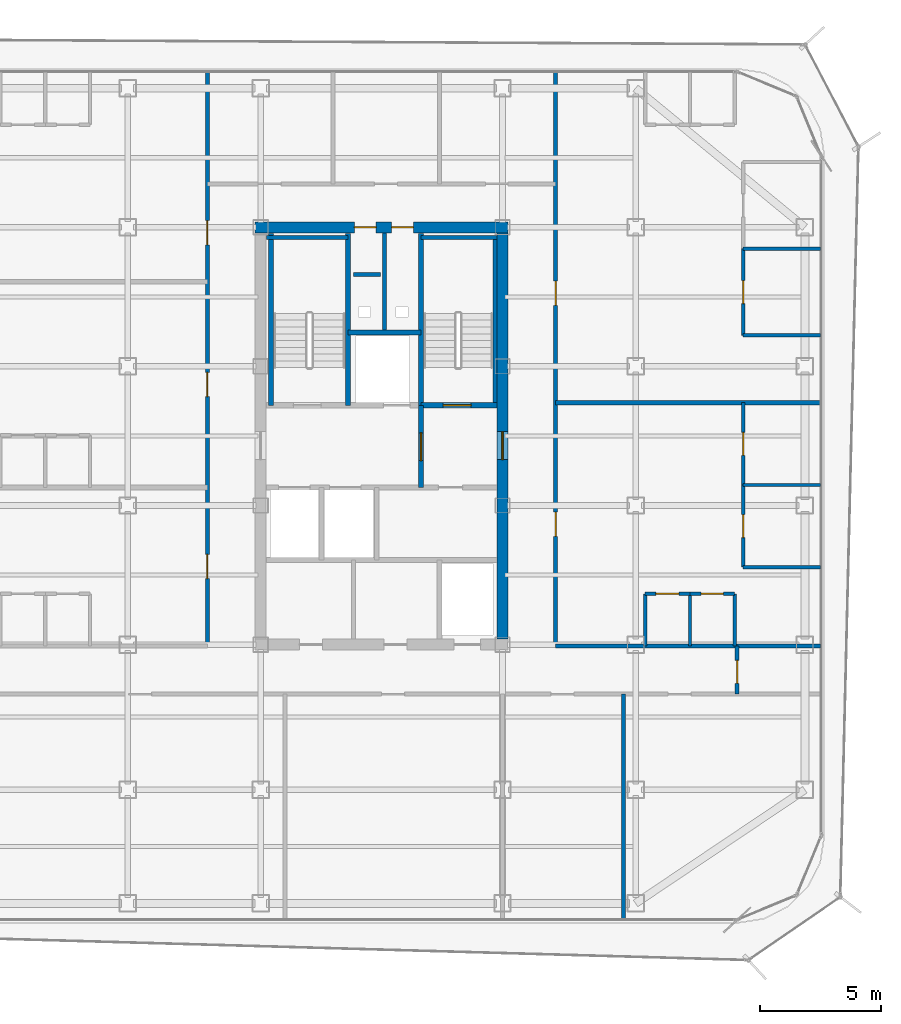
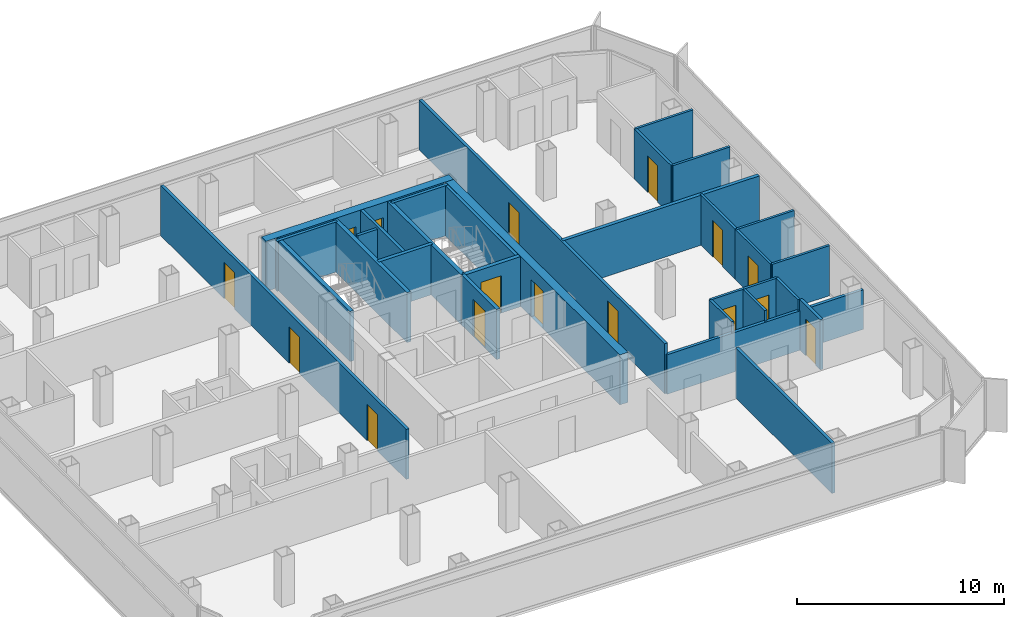
# One storey, part 11 of 15: 32 walls, 16 doors, 16 openings.
"""IFC4 building model written with IfcOpenShell, lengths in metres."""

from ifc_helpers import new_model, si_unit, direction, frame, frame_2d, origin, place, context, subcontext, project, spatial, rectangle, extrude, material, layer, layer_set, type_object, element, fill, save


model = new_model("IFC4")

# Units and contexts
model_context = context("Model", 3, precision=1e-05, world=origin(), true_north=direction((0.0, 1.0)))
body_context = subcontext(model_context, "Body", "Model", "MODEL_VIEW")
ifc_project = project(units=[si_unit("LENGTHUNIT", "METRE"), si_unit("AREAUNIT", "SQUARE_METRE"), si_unit("VOLUMEUNIT", "CUBIC_METRE"), si_unit("PLANEANGLEUNIT", "RADIAN"), si_unit("MASSUNIT", "GRAM", prefix="KILO")], contexts=[model_context])

# Site, building, storey
site_placement = place(None, origin())
site = spatial("IfcSite", under=ifc_project, at=site_placement, CompositionType="ELEMENT")
building_placement = place(site_placement, origin())
building = spatial("IfcBuilding", under=site, at=building_placement, Name="Kolveth Station Tower", CompositionType="ELEMENT")
storey_placement = place(building_placement, frame((0.0, 0.0, 168.89990234375)))
storey = spatial("IfcBuildingStorey", under=building, at=storey_placement, Name="L47", CompositionType="ELEMENT", Elevation=168.89990234375)

# Wall, openings, doors
ifc_material_1 = material(Name="Concrete C50/60", Category="concrete")
ifc_layer_1 = layer(ifc_material_1, 0.449951171875)
ifc_layer_set_1 = layer_set([ifc_layer_1], Name="Concrete C50/60")
wall_type_1 = type_object("IfcWallType", Name="Wall_CW-450", PredefinedType="SHEAR", material=ifc_layer_set_1)
wall_1_placement = place(storey_placement, frame((18.27490234375, 28.75, 0.0), z_axis=(0.0, 0.0, 1.0), x_axis=(1.0, 0.0, 0.0)))
wall_1 = element("IfcWall", 1, at=wall_1_placement, inside=storey, type_object=wall_type_1, Name="L47 Core RC Shear Wall N", PredefinedType="SHEAR", context=body_context, shape_type="SweptSolid", body=[
    extrude(rectangle(XDim=10.4501953125, YDim=0.449951171875, at=frame_2d((5.22509765625, 0.0))), origin(), (0.0, 0.0, 1.0), 2.9501953125),
])
opening_1_placement = place(wall_1_placement, frame((4.10498046875, 0.0, 0.0)))
opening_1 = element("IfcOpeningElement", 2, at=opening_1_placement, cuts=wall_1, Name="Opening RD1", PredefinedType="OPENING", context=body_context, shape_type="SweptSolid", body=[
    extrude(rectangle(XDim=0.89990234375, YDim=2.050048828125, at=frame_2d((0.449951171875, 1.02490234375))), frame((0.0, 0.23486328125, 0.0), z_axis=(0.0, -1.0, 0.0), x_axis=(1.0, 0.0, 0.0)), (0.0, 0.0, 1.0), 0.469970703125),
])
opening_2_placement = place(wall_1_placement, frame((5.64501953125, 0.0, 0.0)))
opening_2 = element("IfcOpeningElement", 3, at=opening_2_placement, cuts=wall_1, Name="Opening RD1", PredefinedType="OPENING", context=body_context, shape_type="SweptSolid", body=[
    extrude(rectangle(XDim=0.89990234375, YDim=2.050048828125, at=frame_2d((0.449951171875, 1.02490234375))), frame((0.0, 0.23486328125, 0.0), z_axis=(0.0, -1.0, 0.0), x_axis=(1.0, 0.0, 0.0)), (0.0, 0.0, 1.0), 0.469970703125),
])
ifc_material_2 = material(Name="Fire-rated Steel S355 riser access leaf", Category="steel")
door_type_1 = type_object("IfcDoorType", Name="Door_RD1", OperationType="NOTDEFINED", PredefinedType="DOOR", material=ifc_material_2)
door_1_placement = place(opening_1_placement, origin())
door_1 = element("IfcDoor", 4, at=door_1_placement, inside=storey, type_object=door_type_1, Name="L47 Electrical Riser Access Door", OperationType="SINGLE_SWING_LEFT", OverallHeight=2.050048828125, OverallWidth=0.89990234375, PredefinedType="DOOR", context=body_context, shape_type="SweptSolid", body=[
    extrude(rectangle(XDim=0.89990234375, YDim=2.050048828125, at=frame_2d((0.449951171875, 1.02490234375))), frame((0.0, 0.02490234375, 0.0), z_axis=(0.0, -1.0, 0.0), x_axis=(1.0, 0.0, 0.0)), (0.0, 0.0, 1.0), 0.050048828125),
])
fill(opening_1, door_1)
door_2_placement = place(opening_2_placement, origin())
door_2 = element("IfcDoor", 5, at=door_2_placement, inside=storey, type_object=door_type_1, Name="L47 Smoke Duct Access Door", OperationType="SINGLE_SWING_RIGHT", OverallHeight=2.050048828125, OverallWidth=0.89990234375, PredefinedType="DOOR", context=body_context, shape_type="SweptSolid", body=[
    extrude(rectangle(XDim=0.89990234375, YDim=2.050048828125, at=frame_2d((0.449951171875, 1.02490234375))), frame((0.0, 0.02490234375, 0.0), z_axis=(0.0, -1.0, 0.0), x_axis=(1.0, 0.0, 0.0)), (0.0, 0.0, 1.0), 0.050048828125),
])
fill(opening_2, door_2)

# Wall, opening, door
wall_2_placement = place(storey_placement, frame((28.5, 11.72509765625, 0.0), z_axis=(0.0, 0.0, 1.0), x_axis=(0.0, 1.0, 0.0)))
wall_2 = element("IfcWall", 6, at=wall_2_placement, inside=storey, type_object=wall_type_1, Name="L47 Core RC Shear Wall E", PredefinedType="SHEAR", context=body_context, shape_type="SweptSolid", body=[
    extrude(rectangle(XDim=16.7998046875, YDim=0.449951171875, at=frame_2d((8.39990234375, 0.0))), origin(), (0.0, 0.0, 1.0), 2.9501953125),
])
opening_3_placement = place(wall_2_placement, frame((7.425048828125, 0.0, 0.0)))
opening_3 = element("IfcOpeningElement", 7, at=opening_3_placement, cuts=wall_2, Name="Opening FD1", PredefinedType="OPENING", context=body_context, shape_type="SweptSolid", body=[
    extrude(rectangle(XDim=1.14990234375, YDim=2.199951171875, at=frame_2d((0.574951171875, 1.10009765625))), frame((0.0, 0.23486328125, 0.0), z_axis=(0.0, -1.0, 0.0), x_axis=(1.0, 0.0, 0.0)), (0.0, 0.0, 1.0), 0.469970703125),
])
ifc_material_3 = material(Name="Fire-rated Steel S355 leaf and frame", Category="steel")
door_type_2 = type_object("IfcDoorType", Name="Door_FD1", OperationType="NOTDEFINED", PredefinedType="DOOR", material=ifc_material_3)
door_3_placement = place(opening_3_placement, origin())
door_3 = element("IfcDoor", 8, at=door_3_placement, inside=storey, type_object=door_type_2, Name="L47 East Corridor to Stair Lobby Door", OperationType="SINGLE_SWING_RIGHT", OverallHeight=2.199951171875, OverallWidth=1.14990234375, PredefinedType="DOOR", context=body_context, shape_type="SweptSolid", body=[
    extrude(rectangle(XDim=1.14990234375, YDim=2.199951171875, at=frame_2d((0.574951171875, 1.10009765625))), frame((0.0, 0.02490234375, 0.0), z_axis=(0.0, -1.0, 0.0), x_axis=(1.0, 0.0, 0.0)), (0.0, 0.0, 1.0), 0.050048828125),
])
fill(opening_3, door_3)

ifc_material_4 = material(Name="Moisture-resistant gypsum partition")
ifc_layer_2 = layer(ifc_material_4, 0.135009765625)
ifc_layer_set_2 = layer_set([ifc_layer_2], Name="Moisture-resistant gypsum partition")
wall_type_2 = type_object("IfcWallType", Name="Wall_IW-135", PredefinedType="PARTITIONING", material=ifc_layer_set_2)
wall_3_placement = place(storey_placement, frame((34.39990234375, 13.60009765625, 0.0), z_axis=(0.0, 0.0, 1.0), x_axis=(1.0, 0.0, 0.0)))
wall_3 = element("IfcWall", 9, at=wall_3_placement, inside=storey, type_object=wall_type_2, Name="L47 Partition Wall WL-L47-E1-IBHK", PredefinedType="PARTITIONING", context=body_context, shape_type="SweptSolid", body=[
    extrude(rectangle(XDim=1.85009765625, YDim=0.135009765625, at=frame_2d((0.925048828125, 0.0))), origin(), (0.0, 0.0, 1.0), 2.9501953125),
])
opening_4_placement = place(wall_3_placement, frame((0.445068359375, 0.0, 0.0)))
opening_4 = element("IfcOpeningElement", 10, at=opening_4_placement, cuts=wall_3, Name="Opening ID1", PredefinedType="OPENING", context=body_context, shape_type="SweptSolid", body=[
    extrude(rectangle(XDim=0.949951171875, YDim=2.14990234375, at=frame_2d((0.47509765625, 1.074951171875))), frame((0.0, 0.077392578125, 0.0), z_axis=(0.0, -1.0, 0.0), x_axis=(1.0, 0.0, 0.0)), (0.0, 0.0, 1.0), 0.155029296875),
])
ifc_material_5 = material(Name="Acoustic hardwood leaf and aluminium frame", Category="wood")
door_type_3 = type_object("IfcDoorType", Name="Door_ID1", OperationType="NOTDEFINED", PredefinedType="DOOR", material=ifc_material_5)
door_4_placement = place(opening_4_placement, origin())
door_4 = element("IfcDoor", 11, at=door_4_placement, inside=storey, type_object=door_type_3, Name="Penthouse Flat L47-E1 Kitchen Door", OperationType="SINGLE_SWING_RIGHT", OverallHeight=2.14990234375, OverallWidth=0.949951171875, PredefinedType="DOOR", context=body_context, shape_type="SweptSolid", body=[
    extrude(rectangle(XDim=0.949951171875, YDim=2.14990234375, at=frame_2d((0.47509765625, 1.074951171875))), frame((0.0, 0.02490234375, 0.0), z_axis=(0.0, -1.0, 0.0), x_axis=(1.0, 0.0, 0.0)), (0.0, 0.0, 1.0), 0.050048828125),
])
fill(opening_4, door_4)

wall_4_placement = place(storey_placement, frame((36.25, 13.60009765625, 0.0), z_axis=(0.0, 0.0, 1.0), x_axis=(1.0, 0.0, 0.0)))
wall_4 = element("IfcWall", 12, at=wall_4_placement, inside=storey, type_object=wall_type_2, Name="L47 Partition Wall WL-L47-E1-IBHB", PredefinedType="PARTITIONING", context=body_context, shape_type="SweptSolid", body=[
    extrude(rectangle(XDim=1.85009765625, YDim=0.135009765625, at=frame_2d((0.925048828125, 0.0))), origin(), (0.0, 0.0, 1.0), 2.9501953125),
])
opening_5_placement = place(wall_4_placement, frame((0.465087890625, 0.0, 0.0)))
opening_5 = element("IfcOpeningElement", 13, at=opening_5_placement, cuts=wall_4, Name="Opening ID2", PredefinedType="OPENING", context=body_context, shape_type="SweptSolid", body=[
    extrude(rectangle(XDim=0.919921875, YDim=2.10009765625, at=frame_2d((0.4599609375, 1.050048828125))), frame((0.0, 0.077392578125, 0.0), z_axis=(0.0, -1.0, 0.0), x_axis=(1.0, 0.0, 0.0)), (0.0, 0.0, 1.0), 0.155029296875),
])
ifc_material_6 = material(Name="Moisture-resistant hardwood leaf", Category="wood")
door_type_4 = type_object("IfcDoorType", Name="Door_ID2", OperationType="NOTDEFINED", PredefinedType="DOOR", material=ifc_material_6)
door_5_placement = place(opening_5_placement, origin())
door_5 = element("IfcDoor", 14, at=door_5_placement, inside=storey, type_object=door_type_4, Name="Penthouse Flat L47-E1 Bathroom Door", OperationType="SINGLE_SWING_LEFT", OverallHeight=2.10009765625, OverallWidth=0.919921875, PredefinedType="DOOR", context=body_context, shape_type="SweptSolid", body=[
    extrude(rectangle(XDim=0.919921875, YDim=2.10009765625, at=frame_2d((0.4599609375, 1.050048828125))), frame((0.0, 0.02490234375, 0.0), z_axis=(0.0, -1.0, 0.0), x_axis=(1.0, 0.0, 0.0)), (0.0, 0.0, 1.0), 0.050048828125),
])
fill(opening_5, door_5)

# Walls
for number, where, z_axis, x_axis, name in (
    (15, (34.39990234375, 11.449951171875, 0.0), (0.0, 0.0, 1.0), (0.0, 1.0, 0.0), "L47 Partition Wall WL-L47-E1-IBV0"),
    (16, (36.25, 11.449951171875, 0.0), (0.0, 0.0, 1.0), (0.0, 1.0, 0.0), "L47 Partition Wall WL-L47-E1-IBV1"),
    (17, (38.10009765625, 11.449951171875, 0.0), (0.0, 0.0, 1.0), (0.0, 1.0, 0.0), "L47 Partition Wall WL-L47-E1-IBV2"),
):
    element("IfcWall", number, at=place(storey_placement, frame(where, z_axis=z_axis, x_axis=x_axis)), inside=storey, type_object=wall_type_2, Name=name, PredefinedType="PARTITIONING", context=body_context, shape_type="SweptSolid", body=[
        extrude(rectangle(XDim=2.150146484375, YDim=0.135009765625, at=frame_2d((1.0751953125, 0.0))), origin(), (0.0, 0.0, 1.0), 2.9501953125),
    ])
wall_5_placement = place(storey_placement, frame((38.449951171875, 14.699951171875, 0.0), z_axis=(0.0, 0.0, 1.0), x_axis=(1.0, 0.0, 0.0)))
element("IfcWall", 18, at=wall_5_placement, inside=storey, type_object=wall_type_2, Name="L47 Partition Wall WL-L47-E1-BDH0", PredefinedType="PARTITIONING", context=body_context, shape_type="SweptSolid", body=[
    extrude(rectangle(XDim=3.18994140625, YDim=0.135009765625, at=frame_2d((1.594970703125, 0.0))), origin(), (0.0, 0.0, 1.0), 2.9501953125),
])

# Wall, opening, door
wall_6_placement = place(storey_placement, frame((38.449951171875, 14.699951171875, 0.0), z_axis=(0.0, 0.0, 1.0), x_axis=(0.0, 1.0, 0.0)))
wall_6 = element("IfcWall", 19, at=wall_6_placement, inside=storey, type_object=wall_type_2, Name="L47 Partition Wall WL-L47-E1-BDV1", PredefinedType="PARTITIONING", context=body_context, shape_type="SweptSolid", body=[
    extrude(rectangle(XDim=3.400146484375, YDim=0.135009765625, at=frame_2d((1.7001953125, 0.0))), origin(), (0.0, 0.0, 1.0), 2.9501953125),
])
opening_6_placement = place(wall_6_placement, frame((1.219970703125, 0.0, 0.0)))
opening_6 = element("IfcOpeningElement", 20, at=opening_6_placement, cuts=wall_6, Name="Opening ID1", PredefinedType="OPENING", context=body_context, shape_type="SweptSolid", body=[
    extrude(rectangle(XDim=0.949951171875, YDim=2.14990234375, at=frame_2d((0.47509765625, 1.074951171875))), frame((0.0, 0.077392578125, 0.0), z_axis=(0.0, -1.0, 0.0), x_axis=(1.0, 0.0, 0.0)), (0.0, 0.0, 1.0), 0.155029296875),
])
door_6_placement = place(opening_6_placement, frame((0.949951171875, 0.0, 0.0), z_axis=(0.0, 0.0, 1.0), x_axis=(-1.0, 0.0, 0.0)))
door_6 = element("IfcDoor", 21, at=door_6_placement, inside=storey, type_object=door_type_3, Name="Penthouse Flat L47-E1 Bedroom 1 Door", OperationType="SINGLE_SWING_RIGHT", OverallHeight=2.14990234375, OverallWidth=0.949951171875, PredefinedType="DOOR", context=body_context, shape_type="SweptSolid", body=[
    extrude(rectangle(XDim=0.949951171875, YDim=2.14990234375, at=frame_2d((0.47509765625, 1.074951171875))), frame((0.0, 0.02490234375, 0.0), z_axis=(0.0, -1.0, 0.0), x_axis=(1.0, 0.0, 0.0)), (0.0, 0.0, 1.0), 0.050048828125),
])
fill(opening_6, door_6)

wall_7_placement = place(storey_placement, frame((38.449951171875, 18.10009765625, 0.0), z_axis=(0.0, 0.0, 1.0), x_axis=(0.0, 1.0, 0.0)))
wall_7 = element("IfcWall", 22, at=wall_7_placement, inside=storey, type_object=wall_type_2, Name="L47 Partition Wall WL-L47-E1-BDV2", PredefinedType="PARTITIONING", context=body_context, shape_type="SweptSolid", body=[
    extrude(rectangle(XDim=3.39990234375, YDim=0.135009765625, at=frame_2d((1.699951171875, 0.0))), origin(), (0.0, 0.0, 1.0), 2.9501953125),
])
opening_7_placement = place(wall_7_placement, frame((1.219970703125, 0.0, 0.0)))
opening_7 = element("IfcOpeningElement", 23, at=opening_7_placement, cuts=wall_7, Name="Opening ID1", PredefinedType="OPENING", context=body_context, shape_type="SweptSolid", body=[
    extrude(rectangle(XDim=0.949951171875, YDim=2.14990234375, at=frame_2d((0.47509765625, 1.074951171875))), frame((0.0, 0.077392578125, 0.0), z_axis=(0.0, -1.0, 0.0), x_axis=(1.0, 0.0, 0.0)), (0.0, 0.0, 1.0), 0.155029296875),
])
door_7_placement = place(opening_7_placement, frame((0.949951171875, 0.0, 0.0), z_axis=(0.0, 0.0, 1.0), x_axis=(-1.0, 0.0, 0.0)))
door_7 = element("IfcDoor", 24, at=door_7_placement, inside=storey, type_object=door_type_3, Name="Penthouse Flat L47-E1 Bedroom 2 Door", OperationType="SINGLE_SWING_LEFT", OverallHeight=2.14990234375, OverallWidth=0.949951171875, PredefinedType="DOOR", context=body_context, shape_type="SweptSolid", body=[
    extrude(rectangle(XDim=0.949951171875, YDim=2.14990234375, at=frame_2d((0.47509765625, 1.074951171875))), frame((0.0, 0.02490234375, 0.0), z_axis=(0.0, -1.0, 0.0), x_axis=(1.0, 0.0, 0.0)), (0.0, 0.0, 1.0), 0.050048828125),
])
fill(opening_7, door_7)

# Walls
for number, where, z_axis, x_axis, name in (
    (25, (38.449951171875, 18.10009765625, 0.0), (0.0, 0.0, 1.0), (1.0, 0.0, 0.0), "L47 Partition Wall WL-L47-E1-BDH1"),
    (26, (38.449951171875, 24.285888671875, 0.0), (0.0, 0.0, 1.0), (1.0, 0.0, 0.0), "L47 Partition Wall WL-L47-E2-BDH0"),
):
    element("IfcWall", number, at=place(storey_placement, frame(where, z_axis=z_axis, x_axis=x_axis)), inside=storey, type_object=wall_type_2, Name=name, PredefinedType="PARTITIONING", context=body_context, shape_type="SweptSolid", body=[
        extrude(rectangle(XDim=3.18994140625, YDim=0.135009765625, at=frame_2d((1.594970703125, 0.0))), origin(), (0.0, 0.0, 1.0), 2.9501953125),
    ])

# Wall, opening, door
wall_8_placement = place(storey_placement, frame((38.449951171875, 24.285888671875, 0.0), z_axis=(0.0, 0.0, 1.0), x_axis=(0.0, 1.0, 0.0)))
wall_8 = element("IfcWall", 27, at=wall_8_placement, inside=storey, type_object=wall_type_2, Name="L47 Partition Wall WL-L47-E2-BDV1", PredefinedType="PARTITIONING", context=body_context, shape_type="SweptSolid", body=[
    extrude(rectangle(XDim=3.58203125, YDim=0.135009765625, at=frame_2d((1.791015625, 0.0))), origin(), (0.0, 0.0, 1.0), 2.9501953125),
])
opening_8_placement = place(wall_8_placement, frame((1.31103515625, 0.0, 0.0)))
opening_8 = element("IfcOpeningElement", 28, at=opening_8_placement, cuts=wall_8, Name="Opening ID1", PredefinedType="OPENING", context=body_context, shape_type="SweptSolid", body=[
    extrude(rectangle(XDim=0.949951171875, YDim=2.14990234375, at=frame_2d((0.47509765625, 1.074951171875))), frame((0.0, 0.077392578125, 0.0), z_axis=(0.0, -1.0, 0.0), x_axis=(1.0, 0.0, 0.0)), (0.0, 0.0, 1.0), 0.155029296875),
])
door_8_placement = place(opening_8_placement, frame((0.949951171875, 0.0, 0.0), z_axis=(0.0, 0.0, 1.0), x_axis=(-1.0, 0.0, 0.0)))
door_8 = element("IfcDoor", 29, at=door_8_placement, inside=storey, type_object=door_type_3, Name="Penthouse Flat L47-E2 Bedroom 1 Door", OperationType="SINGLE_SWING_LEFT", OverallHeight=2.14990234375, OverallWidth=0.949951171875, PredefinedType="DOOR", context=body_context, shape_type="SweptSolid", body=[
    extrude(rectangle(XDim=0.949951171875, YDim=2.14990234375, at=frame_2d((0.47509765625, 1.074951171875))), frame((0.0, 0.02490234375, 0.0), z_axis=(0.0, -1.0, 0.0), x_axis=(1.0, 0.0, 0.0)), (0.0, 0.0, 1.0), 0.050048828125),
])
fill(opening_8, door_8)

# Walls
wall_9_placement = place(storey_placement, frame((38.449951171875, 27.867919921875, 0.0), z_axis=(0.0, 0.0, 1.0), x_axis=(1.0, 0.0, 0.0)))
element("IfcWall", 30, at=wall_9_placement, inside=storey, type_object=wall_type_2, Name="L47 Partition Wall WL-L47-E2-BDH1", PredefinedType="PARTITIONING", context=body_context, shape_type="SweptSolid", body=[
    extrude(rectangle(XDim=3.18994140625, YDim=0.135009765625, at=frame_2d((1.594970703125, 0.0))), origin(), (0.0, 0.0, 1.0), 2.9501953125),
])
ifc_material_7 = material(Name="Acoustic double-stud gypsum partition")
ifc_layer_3 = layer(ifc_material_7, 0.1650390625)
ifc_layer_set_3 = layer_set([ifc_layer_3], Name="Acoustic double-stud gypsum partition")
wall_type_3 = type_object("IfcWallType", Name="Wall_IW-165", PredefinedType="PARTITIONING", material=ifc_layer_set_3)
wall_10_placement = place(storey_placement, frame((18.735107421875, 28.3349609375, 0.0), z_axis=(0.0, 0.0, 1.0), x_axis=(1.0, 0.0, 0.0)))
element("IfcWall", 31, at=wall_10_placement, inside=storey, type_object=wall_type_3, Name="L47 Stair Shaft Wall WL-L47-ST1-N", PredefinedType="PARTITIONING", context=body_context, shape_type="SweptSolid", body=[
    extrude(rectangle(XDim=3.375, YDim=0.1650390625, at=frame_2d((1.6875, 0.0))), origin(), (0.0, 0.0, 1.0), 2.9501953125),
])
wall_11_placement = place(storey_placement, frame((25.1298828125, 28.3349609375, 0.0), z_axis=(0.0, 0.0, 1.0), x_axis=(1.0, 0.0, 0.0)))
element("IfcWall", 32, at=wall_11_placement, inside=storey, type_object=wall_type_3, Name="L47 Stair Shaft Wall WL-L47-ST2-N", PredefinedType="PARTITIONING", context=body_context, shape_type="SweptSolid", body=[
    extrude(rectangle(XDim=3.135009765625, YDim=0.1650390625, at=frame_2d((1.5673828125, 0.0))), origin(), (0.0, 0.0, 1.0), 2.9501953125),
])
wall_12_placement = place(storey_placement, frame((28.1826171875, 21.389892578125, 0.0), z_axis=(0.0, 0.0, 1.0), x_axis=(0.0, 1.0, 0.0)))
element("IfcWall", 33, at=wall_12_placement, inside=storey, type_object=wall_type_3, Name="L47 Stair Shaft Wall WL-L47-ST2-E", PredefinedType="PARTITIONING", context=body_context, shape_type="SweptSolid", body=[
    extrude(rectangle(XDim=6.945068359375, YDim=0.1650390625, at=frame_2d((3.47265625, 0.0))), origin(), (0.0, 0.0, 1.0), 2.9501953125),
])
wall_13_placement = place(storey_placement, frame((23.6201171875, 24.39990234375, 0.0), z_axis=(0.0, 0.0, 1.0), x_axis=(0.0, 1.0, 0.0)))
element("IfcWall", 34, at=wall_13_placement, inside=storey, type_object=wall_type_3, Name="L47 Partition Wall WL-L47-RSR-M", PredefinedType="PARTITIONING", context=body_context, shape_type="SweptSolid", body=[
    extrude(rectangle(XDim=4.114990234375, YDim=0.1650390625, at=frame_2d((2.0576171875, 0.0))), origin(), (0.0, 0.0, 1.0), 2.9501953125),
])
wall_14_placement = place(storey_placement, frame((30.699951171875, 11.449951171875, 0.0), z_axis=(0.0, 0.0, 1.0), x_axis=(1.0, 0.0, 0.0)))
element("IfcWall", 35, at=wall_14_placement, inside=storey, type_object=wall_type_3, Name="L47 Partition Wall WL-L47-RSET", PredefinedType="PARTITIONING", context=body_context, shape_type="SweptSolid", body=[
    extrude(rectangle(XDim=7.5, YDim=0.1650390625, at=frame_2d((3.75, 0.0))), origin(), (0.0, 0.0, 1.0), 2.322998046875),
])

# Wall, opening, door
wall_15_placement = place(storey_placement, frame((38.199951171875, 9.449951171875, 0.0), z_axis=(0.0, 0.0, 1.0), x_axis=(0.0, 1.0, 0.0)))
wall_15 = element("IfcWall", 36, at=wall_15_placement, inside=storey, type_object=wall_type_3, Name="L47 Partition Wall WL-L47-RSEE", PredefinedType="PARTITIONING", context=body_context, shape_type="SweptSolid", body=[
    extrude(rectangle(XDim=2.0, YDim=0.1650390625, at=frame_2d((1.0, 0.0))), origin(), (0.0, 0.0, 1.0), 2.9501953125),
])
opening_9_placement = place(wall_15_placement, frame((0.449951171875, 0.0, 0.0)))
opening_9 = element("IfcOpeningElement", 37, at=opening_9_placement, cuts=wall_15, Name="Opening ID1", PredefinedType="OPENING", context=body_context, shape_type="SweptSolid", body=[
    extrude(rectangle(XDim=0.949951171875, YDim=2.14990234375, at=frame_2d((0.47509765625, 1.074951171875))), frame((0.0, 0.092529296875, 0.0), z_axis=(0.0, -1.0, 0.0), x_axis=(1.0, 0.0, 0.0)), (0.0, 0.0, 1.0), 0.18505859375),
])
door_9_placement = place(opening_9_placement, origin())
door_9 = element("IfcDoor", 38, at=door_9_placement, inside=storey, type_object=door_type_3, Name="L47 Hobby Study Door", OperationType="SINGLE_SWING_RIGHT", OverallHeight=2.14990234375, OverallWidth=0.949951171875, PredefinedType="DOOR", context=body_context, shape_type="SweptSolid", body=[
    extrude(rectangle(XDim=0.949951171875, YDim=2.14990234375, at=frame_2d((0.47509765625, 1.074951171875))), frame((0.0, 0.02490234375, 0.0), z_axis=(0.0, -1.0, 0.0), x_axis=(1.0, 0.0, 0.0)), (0.0, 0.0, 1.0), 0.050048828125),
])
fill(opening_9, door_9)

# Wall, openings, doors
wall_16_placement = place(storey_placement, frame((16.300048828125, 11.449951171875, 0.0), z_axis=(0.0, 0.0, 1.0), x_axis=(0.0, 1.0, 0.0)))
wall_16 = element("IfcWall", 39, at=wall_16_placement, inside=storey, type_object=wall_type_3, Name="L47 Partition Wall WL-L47-RW", PredefinedType="PARTITIONING", context=body_context, shape_type="SweptSolid", body=[
    extrude(rectangle(XDim=23.68994140625, YDim=0.1650390625, at=frame_2d((11.844970703125, 0.0))), origin(), (0.0, 0.0, 1.0), 2.9501953125),
])
opening_10_placement = place(wall_16_placement, frame((2.77490234375, 0.0, 0.0)))
opening_10 = element("IfcOpeningElement", 40, at=opening_10_placement, cuts=wall_16, Name="Opening FD3", PredefinedType="OPENING", context=body_context, shape_type="SweptSolid", body=[
    extrude(rectangle(XDim=1.0, YDim=2.14990234375, at=frame_2d((0.5, 1.074951171875))), frame((0.0, 0.092529296875, 0.0), z_axis=(0.0, -1.0, 0.0), x_axis=(1.0, 0.0, 0.0)), (0.0, 0.0, 1.0), 0.18505859375),
])
opening_11_placement = place(wall_16_placement, frame((10.300048828125, 0.0, 0.0)))
opening_11 = element("IfcOpeningElement", 41, at=opening_11_placement, cuts=wall_16, Name="Opening FD3", PredefinedType="OPENING", context=body_context, shape_type="SweptSolid", body=[
    extrude(rectangle(XDim=1.0, YDim=2.14990234375, at=frame_2d((0.5, 1.074951171875))), frame((0.0, 0.092529296875, 0.0), z_axis=(0.0, -1.0, 0.0), x_axis=(1.0, 0.0, 0.0)), (0.0, 0.0, 1.0), 0.18505859375),
])
opening_12_placement = place(wall_16_placement, frame((16.574951171875, 0.0, 0.0)))
opening_12 = element("IfcOpeningElement", 42, at=opening_12_placement, cuts=wall_16, Name="Opening FD3", PredefinedType="OPENING", context=body_context, shape_type="SweptSolid", body=[
    extrude(rectangle(XDim=1.0, YDim=2.14990234375, at=frame_2d((0.5, 1.074951171875))), frame((0.0, 0.092529296875, 0.0), z_axis=(0.0, -1.0, 0.0), x_axis=(1.0, 0.0, 0.0)), (0.0, 0.0, 1.0), 0.18505859375),
])
ifc_material_8 = material(Name="Fire-rated hardwood leaf and aluminium frame", Category="wood")
door_type_5 = type_object("IfcDoorType", Name="Door_FD3", OperationType="NOTDEFINED", PredefinedType="DOOR", material=ifc_material_8)
door_10_placement = place(opening_10_placement, origin())
door_10 = element("IfcDoor", 43, at=door_10_placement, inside=storey, type_object=door_type_5, Name="Penthouse Flat L47-W1 Entrance Door", OperationType="SINGLE_SWING_LEFT", OverallHeight=2.14990234375, OverallWidth=1.0, PredefinedType="DOOR", context=body_context, shape_type="SweptSolid", body=[
    extrude(rectangle(XDim=1.0, YDim=2.14990234375, at=frame_2d((0.5, 1.074951171875))), frame((0.0, 0.02490234375, 0.0), z_axis=(0.0, -1.0, 0.0), x_axis=(1.0, 0.0, 0.0)), (0.0, 0.0, 1.0), 0.050048828125),
])
fill(opening_10, door_10)
door_11_placement = place(opening_11_placement, origin())
door_11 = element("IfcDoor", 44, at=door_11_placement, inside=storey, type_object=door_type_5, Name="Penthouse Flat L47-W2 Entrance Door", OperationType="SINGLE_SWING_LEFT", OverallHeight=2.14990234375, OverallWidth=1.0, PredefinedType="DOOR", context=body_context, shape_type="SweptSolid", body=[
    extrude(rectangle(XDim=1.0, YDim=2.14990234375, at=frame_2d((0.5, 1.074951171875))), frame((0.0, 0.02490234375, 0.0), z_axis=(0.0, -1.0, 0.0), x_axis=(1.0, 0.0, 0.0)), (0.0, 0.0, 1.0), 0.050048828125),
])
fill(opening_11, door_11)
door_12_placement = place(opening_12_placement, origin())
door_12 = element("IfcDoor", 45, at=door_12_placement, inside=storey, type_object=door_type_5, Name="Penthouse Flat L47-W3 Entrance Door", OperationType="SINGLE_SWING_LEFT", OverallHeight=2.14990234375, OverallWidth=1.0, PredefinedType="DOOR", context=body_context, shape_type="SweptSolid", body=[
    extrude(rectangle(XDim=1.0, YDim=2.14990234375, at=frame_2d((0.5, 1.074951171875))), frame((0.0, 0.02490234375, 0.0), z_axis=(0.0, -1.0, 0.0), x_axis=(1.0, 0.0, 0.0)), (0.0, 0.0, 1.0), 0.050048828125),
])
fill(opening_12, door_12)

wall_17_placement = place(storey_placement, frame((30.699951171875, 11.449951171875, 0.0), z_axis=(0.0, 0.0, 1.0), x_axis=(0.0, 1.0, 0.0)))
wall_17 = element("IfcWall", 46, at=wall_17_placement, inside=storey, type_object=wall_type_3, Name="L47 Partition Wall WL-L47-RE", PredefinedType="PARTITIONING", context=body_context, shape_type="SweptSolid", body=[
    extrude(rectangle(XDim=23.68994140625, YDim=0.1650390625, at=frame_2d((11.844970703125, 0.0))), origin(), (0.0, 0.0, 1.0), 2.9501953125),
])
opening_13_placement = place(wall_17_placement, frame((4.52490234375, 0.0, 0.0)))
opening_13 = element("IfcOpeningElement", 47, at=opening_13_placement, cuts=wall_17, Name="Opening FD3", PredefinedType="OPENING", context=body_context, shape_type="SweptSolid", body=[
    extrude(rectangle(XDim=1.0, YDim=2.14990234375, at=frame_2d((0.5, 1.074951171875))), frame((0.0, 0.092529296875, 0.0), z_axis=(0.0, -1.0, 0.0), x_axis=(1.0, 0.0, 0.0)), (0.0, 0.0, 1.0), 0.18505859375),
])
opening_14_placement = place(wall_17_placement, frame((14.074951171875, 0.0, 0.0)))
opening_14 = element("IfcOpeningElement", 48, at=opening_14_placement, cuts=wall_17, Name="Opening FD3", PredefinedType="OPENING", context=body_context, shape_type="SweptSolid", body=[
    extrude(rectangle(XDim=1.0, YDim=2.14990234375, at=frame_2d((0.5, 1.074951171875))), frame((0.0, 0.092529296875, 0.0), z_axis=(0.0, -1.0, 0.0), x_axis=(1.0, 0.0, 0.0)), (0.0, 0.0, 1.0), 0.18505859375),
])
door_13_placement = place(opening_13_placement, frame((1.0, 0.0, 0.0), z_axis=(0.0, 0.0, 1.0), x_axis=(-1.0, 0.0, 0.0)))
door_13 = element("IfcDoor", 49, at=door_13_placement, inside=storey, type_object=door_type_5, Name="Penthouse Flat L47-E1 Entrance Door", OperationType="SINGLE_SWING_RIGHT", OverallHeight=2.14990234375, OverallWidth=1.0, PredefinedType="DOOR", context=body_context, shape_type="SweptSolid", body=[
    extrude(rectangle(XDim=1.0, YDim=2.14990234375, at=frame_2d((0.5, 1.074951171875))), frame((0.0, 0.02490234375, 0.0), z_axis=(0.0, -1.0, 0.0), x_axis=(1.0, 0.0, 0.0)), (0.0, 0.0, 1.0), 0.050048828125),
])
fill(opening_13, door_13)
door_14_placement = place(opening_14_placement, frame((1.0, 0.0, 0.0), z_axis=(0.0, 0.0, 1.0), x_axis=(-1.0, 0.0, 0.0)))
door_14 = element("IfcDoor", 50, at=door_14_placement, inside=storey, type_object=door_type_5, Name="Penthouse Flat L47-E2 Entrance Door", OperationType="SINGLE_SWING_LEFT", OverallHeight=2.14990234375, OverallWidth=1.0, PredefinedType="DOOR", context=body_context, shape_type="SweptSolid", body=[
    extrude(rectangle(XDim=1.0, YDim=2.14990234375, at=frame_2d((0.5, 1.074951171875))), frame((0.0, 0.02490234375, 0.0), z_axis=(0.0, -1.0, 0.0), x_axis=(1.0, 0.0, 0.0)), (0.0, 0.0, 1.0), 0.050048828125),
])
fill(opening_14, door_14)

# Walls
wall_18_placement = place(storey_placement, frame((33.5, 0.159912109375, 0.0), z_axis=(0.0, 0.0, 1.0), x_axis=(0.0, 1.0, 0.0)))
element("IfcWall", 51, at=wall_18_placement, inside=storey, type_object=wall_type_3, Name="L47 Partition Wall WL-L47-RSA-P3", PredefinedType="PARTITIONING", context=body_context, shape_type="SweptSolid", body=[
    extrude(rectangle(XDim=9.2900390625, YDim=0.1650390625, at=frame_2d((4.64501953125, 0.0))), origin(), (0.0, 0.0, 1.0), 2.9501953125),
])
wall_19_placement = place(storey_placement, frame((38.199951171875, 11.449951171875, 0.0), z_axis=(0.0, 0.0, 1.0), x_axis=(1.0, 0.0, 0.0)))
element("IfcWall", 52, at=wall_19_placement, inside=storey, type_object=wall_type_3, Name="L47 Partition Wall WL-L47-ESTN", PredefinedType="PARTITIONING", context=body_context, shape_type="SweptSolid", body=[
    extrude(rectangle(XDim=3.43994140625, YDim=0.1650390625, at=frame_2d((1.719970703125, 0.0))), origin(), (0.0, 0.0, 1.0), 2.322998046875),
])
wall_20_placement = place(storey_placement, frame((22.35009765625, 26.800048828125, 0.0), z_axis=(0.0, 0.0, 1.0), x_axis=(1.0, 0.0, 0.0)))
element("IfcWall", 53, at=wall_20_placement, inside=storey, type_object=wall_type_3, Name="L47 Acoustic Riser Dry-Lining Wall", PredefinedType="PARTITIONING", context=body_context, shape_type="SweptSolid", body=[
    extrude(rectangle(XDim=1.099853515625, YDim=0.1650390625, at=frame_2d((0.5498046875, 0.0))), origin(), (0.0, 0.0, 1.0), 2.9501953125),
])
ifc_material_9 = material(Name="Acoustic fire-rated gypsum blockwork", Category="masonry")
ifc_layer_4 = layer(ifc_material_9, 0.199951171875)
ifc_layer_set_4 = layer_set([ifc_layer_4], Name="Acoustic fire-rated gypsum blockwork")
wall_type_4 = type_object("IfcWallType", Name="Wall_IW-200", PredefinedType="PARTITIONING", material=ifc_layer_set_4)
wall_21_placement = place(storey_placement, frame((22.110107421875, 24.39990234375, 0.0), z_axis=(0.0, 0.0, 1.0), x_axis=(1.0, 0.0, 0.0)))
element("IfcWall", 54, at=wall_21_placement, inside=storey, type_object=wall_type_4, Name="L47 Partition Wall WL-L47-RSR-S", PredefinedType="PARTITIONING", context=body_context, shape_type="SweptSolid", body=[
    extrude(rectangle(XDim=3.019775390625, YDim=0.199951171875, at=frame_2d((1.509765625, 0.0))), origin(), (0.0, 0.0, 1.0), 2.9501953125),
])

# Wall, opening, door
wall_22_placement = place(storey_placement, frame((25.1298828125, 18.0, 0.0), z_axis=(0.0, 0.0, 1.0), x_axis=(0.0, 1.0, 0.0)))
wall_22 = element("IfcWall", 55, at=wall_22_placement, inside=storey, type_object=wall_type_4, Name="L47 Partition Wall WL-L47-FFL-E", PredefinedType="PARTITIONING", context=body_context, shape_type="SweptSolid", body=[
    extrude(rectangle(XDim=3.389892578125, YDim=0.199951171875, at=frame_2d((1.69482421875, 0.0))), origin(), (0.0, 0.0, 1.0), 2.9501953125),
])
opening_15_placement = place(wall_22_placement, frame((1.10009765625, 0.0, 0.0)))
opening_15 = element("IfcOpeningElement", 56, at=opening_15_placement, cuts=wall_22, Name="Opening FD1", PredefinedType="OPENING", context=body_context, shape_type="SweptSolid", body=[
    extrude(rectangle(XDim=1.14990234375, YDim=2.199951171875, at=frame_2d((0.574951171875, 1.10009765625))), frame((0.0, 0.10986328125, 0.0), z_axis=(0.0, -1.0, 0.0), x_axis=(1.0, 0.0, 0.0)), (0.0, 0.0, 1.0), 0.219970703125),
])
door_15_placement = place(opening_15_placement, origin())
door_15 = element("IfcDoor", 57, at=door_15_placement, inside=storey, type_object=door_type_2, Name="L47 Firefighting to Stair Lobby Door", OperationType="SINGLE_SWING_LEFT", OverallHeight=2.199951171875, OverallWidth=1.14990234375, PredefinedType="DOOR", context=body_context, shape_type="SweptSolid", body=[
    extrude(rectangle(XDim=1.14990234375, YDim=2.199951171875, at=frame_2d((0.574951171875, 1.10009765625))), frame((0.0, 0.02490234375, 0.0), z_axis=(0.0, -1.0, 0.0), x_axis=(1.0, 0.0, 0.0)), (0.0, 0.0, 1.0), 0.050048828125),
])
fill(opening_15, door_15)

# Walls
wall_23_placement = place(storey_placement, frame((30.699951171875, 21.5, 0.0), z_axis=(0.0, 0.0, 1.0), x_axis=(1.0, 0.0, 0.0)))
element("IfcWall", 58, at=wall_23_placement, inside=storey, type_object=wall_type_4, Name="L47 Partition Wall WL-L47-REU-1", PredefinedType="PARTITIONING", context=body_context, shape_type="SweptSolid", body=[
    extrude(rectangle(XDim=10.93994140625, YDim=0.199951171875, at=frame_2d((5.469970703125, 0.0))), origin(), (0.0, 0.0, 1.0), 2.9501953125),
])
ifc_material_10 = material(Name="Concrete C40/50", Category="concrete")
ifc_layer_5 = layer(ifc_material_10, 0.219970703125)
ifc_layer_set_5 = layer_set([ifc_layer_5], Name="Concrete C40/50")
wall_type_5 = type_object("IfcWallType", Name="Wall_IW-220", PredefinedType="SOLIDWALL", material=ifc_layer_set_5)
for number, where, z_axis, x_axis, name in (
    (59, (18.929931640625, 21.389892578125, 0.0), (0.0, 0.0, 1.0), (0.0, 1.0, 0.0), "L47 Stair Shaft Wall WL-L47-ST1-W"),
    (60, (22.110107421875, 21.389892578125, 0.0), (0.0, 0.0, 1.0), (0.0, 1.0, 0.0), "L47 Stair Shaft Wall WL-L47-ST1-E"),
    (61, (25.1298828125, 21.389892578125, 0.0), (0.0, 0.0, 1.0), (0.0, 1.0, 0.0), "L47 Stair Shaft Wall WL-L47-ST2-W"),
):
    element("IfcWall", number, at=place(storey_placement, frame(where, z_axis=z_axis, x_axis=x_axis)), inside=storey, type_object=wall_type_5, Name=name, PredefinedType="SOLIDWALL", context=body_context, shape_type="SweptSolid", body=[
        extrude(rectangle(XDim=7.110107421875, YDim=0.219970703125, at=frame_2d((3.55517578125, 0.0))), origin(), (0.0, 0.0, 1.0), 2.9501953125),
    ])

# Wall, opening, door
wall_24_placement = place(storey_placement, frame((25.1298828125, 21.389892578125, 0.0), z_axis=(0.0, 0.0, 1.0), x_axis=(1.0, 0.0, 0.0)))
wall_24 = element("IfcWall", 62, at=wall_24_placement, inside=storey, type_object=wall_type_5, Name="L47 Stair Shaft Wall WL-L47-ST2-S", PredefinedType="SOLIDWALL", context=body_context, shape_type="SweptSolid", body=[
    extrude(rectangle(XDim=3.135009765625, YDim=0.219970703125, at=frame_2d((1.5673828125, 0.0))), origin(), (0.0, 0.0, 1.0), 2.9501953125),
])
opening_16_placement = place(wall_24_placement, frame((0.919921875, 0.0, 0.0)))
opening_16 = element("IfcOpeningElement", 63, at=opening_16_placement, cuts=wall_24, Name="Opening FD1", PredefinedType="OPENING", context=body_context, shape_type="SweptSolid", body=[
    extrude(rectangle(XDim=1.14990234375, YDim=2.199951171875, at=frame_2d((0.574951171875, 1.10009765625))), frame((0.0, 0.119873046875, 0.0), z_axis=(0.0, -1.0, 0.0), x_axis=(1.0, 0.0, 0.0)), (0.0, 0.0, 1.0), 0.239990234375),
])
door_16_placement = place(opening_16_placement, frame((1.14990234375, 0.0, 0.0), z_axis=(0.0, 0.0, 1.0), x_axis=(-1.0, 0.0, 0.0)))
door_16 = element("IfcDoor", 64, at=door_16_placement, inside=storey, type_object=door_type_2, Name="L47 Stair ST2 Fire Door", OperationType="SINGLE_SWING_RIGHT", OverallHeight=2.199951171875, OverallWidth=1.14990234375, PredefinedType="DOOR", context=body_context, shape_type="SweptSolid", body=[
    extrude(rectangle(XDim=1.14990234375, YDim=2.199951171875, at=frame_2d((0.574951171875, 1.10009765625))), frame((0.0, 0.02490234375, 0.0), z_axis=(0.0, -1.0, 0.0), x_axis=(1.0, 0.0, 0.0)), (0.0, 0.0, 1.0), 0.050048828125),
])
fill(opening_16, door_16)

save(model, "model.ifc")
